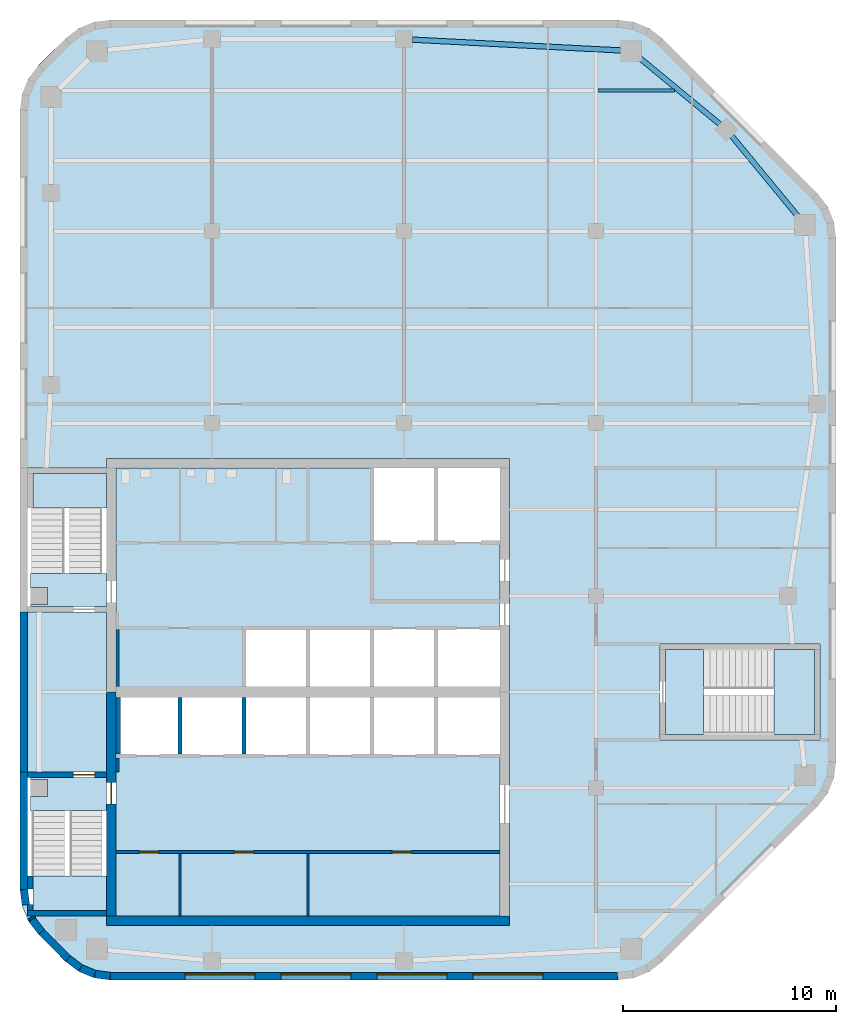
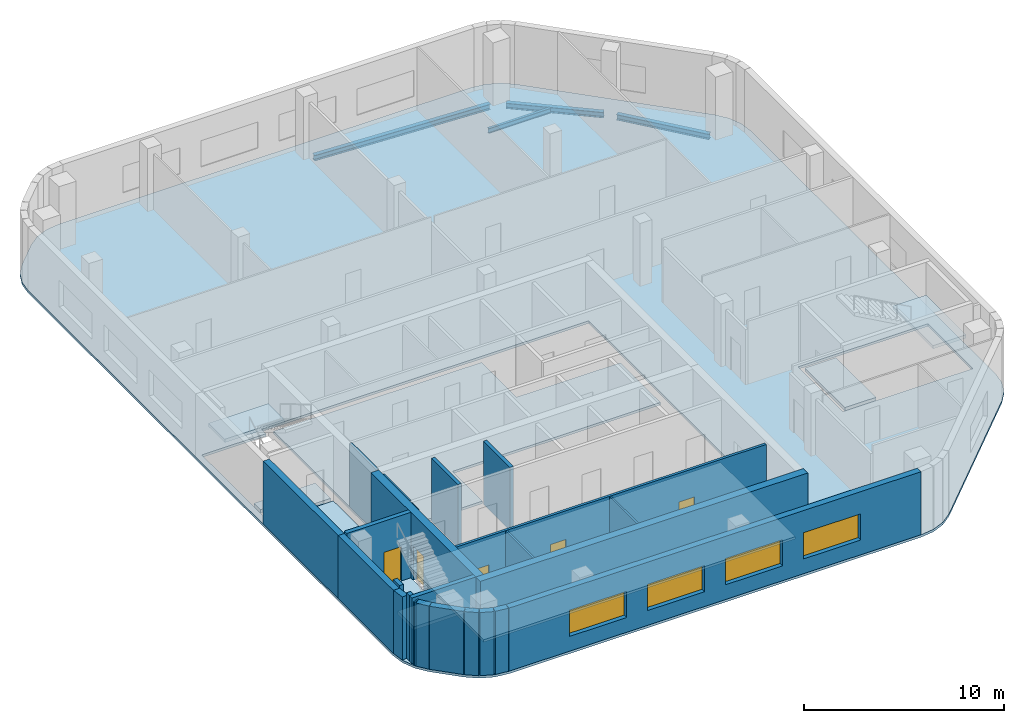
# One storey, part 2 of 7: 24 walls, 9 slabs, 5 doors, 4 beams, 4 windows, 9 openings, 3 elements without a shape of their own.
"""IFC4 building model written with IfcOpenShell, lengths in metres."""

from ifc_helpers import new_model, si_unit, direction, frame, frame_2d, origin, origin_2d, place, context, subcontext, project, spatial, polyline, rectangle, i_section, outline, extrude, material, layer, layer_set, material_profile, profile_set, type_object, element, fill, aggregate, save


model = new_model("IFC4")

# Units and contexts
model_context = context("Model", 3, precision=1e-05, world=origin(), true_north=direction((0.0, 1.0)))
body_context = subcontext(model_context, "Body", "Model", "MODEL_VIEW")
ifc_project = project(units=[si_unit("LENGTHUNIT", "METRE"), si_unit("AREAUNIT", "SQUARE_METRE"), si_unit("VOLUMEUNIT", "CUBIC_METRE"), si_unit("PLANEANGLEUNIT", "RADIAN"), si_unit("MASSUNIT", "GRAM", prefix="KILO")], contexts=[model_context])

# Site, building, storey
site_placement = place(None, origin())
site = spatial("IfcSite", under=ifc_project, at=site_placement, CompositionType="ELEMENT")
building_placement = place(site_placement, origin())
building = spatial("IfcBuilding", under=site, at=building_placement, Name="Cinnabar Reach Civic Tower", CompositionType="ELEMENT")
storey_placement = place(building_placement, frame((0.0, 0.0, 263.0)))
storey = spatial("IfcBuildingStorey", under=building, at=storey_placement, Name="L63", CompositionType="ELEMENT", Elevation=263.0)

# Beams
ifc_material_1 = material(Name="Steel Q355B", Category="steel")
ifc_material_profile_1 = material_profile(ifc_material_1, i_section(OverallWidth=0.25, OverallDepth=0.34, WebThickness=0.009, FlangeThickness=0.014, FilletRadius=0.013, at=origin_2d()), Name="HM340x250x9x14")
ifc_profile_set_1 = profile_set([ifc_material_profile_1], Name="Steel Q355B")
beam_type_1 = type_object("IfcBeamType", Name="HM340x250x9x14 beam R 180", PredefinedType="BEAM", material=ifc_profile_set_1)
for number, where, z_axis, x_axis, name in (
    (1, (36.4818, 53.7801, -0.32), (-0.636303312762, 0.771438976309, 0.0), (-0.771438976309, -0.636303312762, 0.0), "Edge beam T1 L63 9"),
    (2, (32.8486, 58.0822, -0.32), (-0.771438976309, 0.636303312762, 0.0), (-0.636303312762, -0.771438976309, 0.0), "Edge beam T1 L63 10"),
):
    element("IfcBeam", number, at=place(storey_placement, frame(where, z_axis=z_axis, x_axis=x_axis)), inside=storey, type_object=beam_type_1, Name=name, PredefinedType="BEAM", context=body_context, shape_type="SweptSolid", body=[
        extrude(i_section(OverallWidth=0.25, OverallDepth=0.34, WebThickness=0.009, FlangeThickness=0.014, FilletRadius=0.013, at=origin_2d()), origin(), (0.0, 0.0, 1.0), 4.9498),
    ])
beam_1_placement = place(storey_placement, frame((28.2661, 61.5667, -0.32), z_axis=(-0.998653533726, 0.051876001934, 0.0), x_axis=(-0.051876001934, -0.998653533726, 0.0)))
element("IfcBeam", 3, at=beam_1_placement, inside=storey, type_object=beam_type_1, Name="Edge beam T1 L63 11", PredefinedType="BEAM", context=body_context, shape_type="SweptSolid", body=[
    extrude(i_section(OverallWidth=0.25, OverallDepth=0.34, WebThickness=0.009, FlangeThickness=0.014, FilletRadius=0.013, at=origin_2d()), origin(), (0.0, 0.0, 1.0), 9.8774),
])
ifc_material_profile_2 = material_profile(ifc_material_1, i_section(OverallWidth=0.15, OverallDepth=0.3, WebThickness=0.0065, FlangeThickness=0.009, FilletRadius=0.013, at=origin_2d()), Name="HN300x150x6.5x9")
ifc_profile_set_2 = profile_set([ifc_material_profile_2], Name="Steel Q355B")
beam_type_2 = type_object("IfcBeamType", Name="HN300x150x6.5x9 beam R 180", PredefinedType="BEAM", material=ifc_profile_set_2)
beam_2_placement = place(storey_placement, frame((27.102, 59.7, -0.3), z_axis=(1.0, 0.0, 0.0), x_axis=(0.0, 1.0, 0.0)))
element("IfcBeam", 4, at=beam_2_placement, inside=storey, type_object=beam_type_2, Name="Secondary beam T1 L63 19", PredefinedType="BEAM", context=body_context, shape_type="SweptSolid", body=[
    extrude(i_section(OverallWidth=0.15, OverallDepth=0.3, WebThickness=0.0065, FlangeThickness=0.009, FilletRadius=0.013, at=origin_2d()), origin(), (0.0, 0.0, 1.0), 3.5856),
])

# Slab
ifc_material_2 = material(Name="Concrete C40", Category="concrete")
ifc_layer_1 = layer(ifc_material_2, 0.15)
ifc_layer_set_1 = layer_set([ifc_layer_1], Name="Composite floor slab 150 REI 150")
slab_type_1 = type_object("IfcSlabType", Name="Composite floor slab 150 REI 150", PredefinedType="FLOOR", material=ifc_layer_set_1)
slab_1_placement = place(storey_placement, frame((0.0, 0.0, -0.15)))
element("IfcSlab", 5, at=slab_1_placement, inside=storey, type_object=slab_type_1, Name="Composite floor slab 150 T1 L63", PredefinedType="FLOOR", context=body_context, shape_type="SweptSolid", body=[
    extrude(outline(polyline([(0.8787, 20.1213), (0.4019, 20.7426), (0.1022, 21.4662), (0.0, 22.2426), (0.0, 58.7574), (0.1022, 59.5338), (0.4019, 60.2574), (0.8787, 60.8787), (2.1213, 62.1213), (2.7426, 62.5981), (3.4662, 62.8978), (4.2426, 63.0), (28.0074, 63.0), (28.7838, 62.8978), (29.5074, 62.5981), (30.1287, 62.1213), (37.3713, 54.8787), (37.8481, 54.2574), (38.1478, 53.5338), (38.25, 52.7574), (38.25, 28.2426), (38.1478, 27.4662), (37.8481, 26.7426), (37.3713, 26.1213), (30.1287, 18.8787), (29.5074, 18.4019), (28.7838, 18.1022), (28.0074, 18.0), (4.2426, 18.0), (3.4662, 18.1022), (2.7426, 18.4019), (2.1213, 18.8787), (0.8787, 20.1213)]), holes=[polyline([(0.685, 21.0), (4.05, 21.0), (4.05, 20.55), (22.95, 20.55), (22.95, 42.45), (4.05, 42.45), (4.05, 42.0), (0.36, 42.0), (0.36, 35.25), (4.05, 35.25), (4.05, 27.75), (0.36, 27.75), (0.36, 22.2662), (0.453, 21.5602), (0.685, 21.0)]), polyline([(30.0, 33.75), (30.0, 29.25), (37.5, 29.25), (37.5, 33.75), (30.0, 33.75)])]), origin(), (0.0, 0.0, 1.0), 0.15),
])

# Stair, slabs
ifc_material_3 = material(Name="Concrete C40/50", Category="concrete")
stair_type = type_object("IfcStairType", Name="T1 Exit stair, half-turn", PredefinedType="HALF_TURN_STAIR", material=ifc_material_3)
stair_1_placement = place(storey_placement, origin())
stair_1 = element("IfcStair", 6, at=stair_1_placement, inside=storey, type_object=stair_type, Name="Stair T1-S1", PredefinedType="HALF_TURN_STAIR")
ifc_layer_2 = layer(ifc_material_3, 0.2)
ifc_layer_set_2 = layer_set([ifc_layer_2], Name="T1 Stair landing 200, Concrete C40/50")
slab_type_2 = type_object("IfcSlabType", Name="T1 Stair landing 200, Concrete C40/50", PredefinedType="LANDING", material=ifc_layer_set_2)
slab_2_placement = place(storey_placement, frame((0.0, 0.0, -0.2)))
slab_2 = element("IfcSlab", 7, at=slab_2_placement, type_object=slab_type_2, Name="T1-S1 landing 1", PredefinedType="LANDING", context=body_context, shape_type="SweptSolid", body=[
    extrude(outline(polyline([(0.5, 27.5), (4.05, 27.5), (4.05, 25.95), (0.5, 25.95), (0.5, 26.6), (1.3, 26.6), (1.3, 27.4), (0.5, 27.4), (0.5, 27.5)])), origin(), (0.0, 0.0, 1.0), 0.2),
])
slab_3_placement = place(storey_placement, frame((0.0, 0.0, 1.8)))
slab_3 = element("IfcSlab", 8, at=slab_3_placement, type_object=slab_type_2, Name="T1-S1 landing 2", PredefinedType="LANDING", context=body_context, shape_type="SweptSolid", body=[
    extrude(outline(polyline([(0.6, 21.25), (0.6, 22.87), (4.05, 22.87), (4.05, 21.25), (0.6, 21.25)])), origin(), (0.0, 0.0, 1.0), 0.2),
])
aggregate(stair_1, [slab_2, slab_3])

stair_2_placement = place(storey_placement, origin())
stair_2 = element("IfcStair", 9, at=stair_2_placement, inside=storey, type_object=stair_type, Name="Stair T1-S2", PredefinedType="HALF_TURN_STAIR")
slab_4_placement = place(storey_placement, frame((0.0, 0.0, -0.2)))
slab_4 = element("IfcSlab", 10, at=slab_4_placement, type_object=slab_type_2, Name="T1-S2 landing 1", PredefinedType="LANDING", context=body_context, shape_type="SweptSolid", body=[
    extrude(outline(polyline([(0.5, 37.05), (4.05, 37.05), (4.05, 35.5), (0.5, 35.5), (0.5, 35.6), (1.3, 35.6), (1.3, 36.4), (0.5, 36.4), (0.5, 37.05)])), origin(), (0.0, 0.0, 1.0), 0.2),
])
slab_5_placement = place(storey_placement, frame((0.0, 0.0, 1.8)))
slab_5 = element("IfcSlab", 11, at=slab_5_placement, type_object=slab_type_2, Name="T1-S2 landing 2", PredefinedType="LANDING", context=body_context, shape_type="SweptSolid", body=[
    extrude(outline(polyline([(0.6, 40.13), (0.6, 41.75), (4.05, 41.75), (4.05, 40.13), (0.6, 40.13)])), origin(), (0.0, 0.0, 1.0), 0.2),
])
aggregate(stair_2, [slab_4, slab_5])

stair_3_placement = place(storey_placement, origin())
stair_3 = element("IfcStair", 12, at=stair_3_placement, inside=storey, type_object=stair_type, Name="Stair T1-S3", PredefinedType="HALF_TURN_STAIR")
slab_6_placement = place(storey_placement, frame((0.0, 0.0, -0.2)))
slab_6 = element("IfcSlab", 13, at=slab_6_placement, type_object=slab_type_2, Name="T1-S3 landing 1", PredefinedType="LANDING", context=body_context, shape_type="SweptSolid", body=[
    extrude(outline(polyline([(30.25, 29.5), (32.05, 29.5), (32.05, 33.5), (30.25, 33.5), (30.25, 29.5)])), origin(), (0.0, 0.0, 1.0), 0.2),
])
slab_7_placement = place(storey_placement, frame((0.0, 0.0, 1.8)))
slab_7 = element("IfcSlab", 14, at=slab_7_placement, type_object=slab_type_2, Name="T1-S3 landing 2", PredefinedType="LANDING", context=body_context, shape_type="SweptSolid", body=[
    extrude(outline(polyline([(35.35, 29.5), (37.25, 29.5), (37.25, 33.5), (35.35, 33.5), (35.35, 29.5)])), origin(), (0.0, 0.0, 1.0), 0.2),
])
aggregate(stair_3, [slab_6, slab_7])

# Slabs
ifc_layer_3 = layer(ifc_material_3, 0.15)
ifc_layer_set_3 = layer_set([ifc_layer_3], Name="T1 core floor slab 150")
slab_type_3 = type_object("IfcSlabType", Name="T1 core floor slab 150", PredefinedType="FLOOR", material=ifc_layer_set_3)
slab_8_placement = place(storey_placement, frame((0.0, 0.0, -0.15)))
element("IfcSlab", 15, at=slab_8_placement, inside=storey, type_object=slab_type_3, Name="Core floor slab L63", PredefinedType="FLOOR", context=body_context, shape_type="SweptSolid", body=[
    extrude(outline(polyline([(22.5, 21.0), (4.5, 21.0), (4.5, 28.5), (7.5, 28.5), (10.5, 28.5), (13.5, 28.5), (16.5, 28.5), (19.5, 28.5), (22.5, 28.5), (22.5, 21.0)])), origin(), (0.0, 0.0, 1.0), 0.15),
])
slab_9_placement = place(storey_placement, frame((0.0, 0.0, -0.15)))
element("IfcSlab", 16, at=slab_9_placement, inside=storey, type_object=slab_type_3, Name="Core floor slab L63", PredefinedType="FLOOR", context=body_context, shape_type="SweptSolid", body=[
    extrude(outline(polyline([(22.5, 34.5), (19.5, 34.5), (16.5, 34.5), (13.5, 34.5), (10.5, 34.5), (10.5, 31.5), (7.5, 31.5), (4.5, 31.5), (4.5, 42.0), (16.5, 42.0), (16.5, 38.5), (19.5, 38.5), (22.5, 38.5), (22.5, 34.5)])), origin(), (0.0, 0.0, 1.0), 0.15),
])

# Walls
ifc_material_4 = material(Name="Facing brick with insulated backing", Category="masonry")
ifc_layer_4 = layer(ifc_material_4, 0.36)
ifc_layer_set_4 = layer_set([ifc_layer_4], Name="Brick corner wall")
wall_type_1 = type_object("IfcWallType", Name="Brick corner wall", PredefinedType="STANDARD", material=ifc_layer_set_4)
wall_1_placement = place(storey_placement, frame((0.183, 22.2314, 0.0), z_axis=(0.0, 0.0, 1.0), x_axis=(0.13055608231, -0.99144092581, 0.0)))
element("IfcWall", 17, at=wall_1_placement, inside=storey, type_object=wall_type_1, Name="Brick corner wall", PredefinedType="STANDARD", context=body_context, shape_type="SweptSolid", body=[
    extrude(rectangle(XDim=0.7131, YDim=0.36, at=frame_2d((0.3565, 0.0))), origin(), (0.0, 0.0, 1.0), 3.85),
])
wall_2_placement = place(storey_placement, frame((0.5206, 20.9265, 0.0), z_axis=(0.0, 0.0, 1.0), x_axis=(0.382549378284, -0.923935048136, 0.0)))
element("IfcWall", 18, at=wall_2_placement, inside=storey, type_object=wall_type_1, Name="Brick corner wall", PredefinedType="STANDARD", context=body_context, shape_type="SweptSolid", body=[
    extrude(rectangle(XDim=0.0894, YDim=0.36, at=frame_2d((0.0447, 0.0))), origin(), (0.0, 0.0, 1.0), 3.85),
])
for number, where, z_axis, x_axis, name in (
    (19, (0.566, 20.8245, 0.0), (0.0, 0.0, 1.0), (0.608802368033, -0.793321924995, 0.0), "Brick corner wall"),
    (20, (2.2587, 19.0002, 0.0), (0.0, 0.0, 1.0), (0.793321924995, -0.608802368033, 0.0), "Brick corner wall"),
):
    element("IfcWall", number, at=place(storey_placement, frame(where, z_axis=z_axis, x_axis=x_axis)), inside=storey, type_object=wall_type_1, Name=name, PredefinedType="STANDARD", context=body_context, shape_type="SweptSolid", body=[
        extrude(rectangle(XDim=0.7132, YDim=0.36, at=frame_2d((0.3566, 0.0))), origin(), (0.0, 0.0, 1.0), 3.85),
    ])
for number, where, z_axis, x_axis, name in (
    (21, (2.8439, 18.5548, 0.0), (0.0, 0.0, 1.0), (0.923871547278, -0.382702709855, 0.0), "Brick corner wall"),
    (22, (3.5244, 18.2761, 0.0), (0.0, 0.0, 1.0), (0.99144092581, -0.13055608231, 0.0), "Brick corner wall"),
):
    element("IfcWall", number, at=place(storey_placement, frame(where, z_axis=z_axis, x_axis=x_axis)), inside=storey, type_object=wall_type_1, Name=name, PredefinedType="STANDARD", context=body_context, shape_type="SweptSolid", body=[
        extrude(rectangle(XDim=0.7131, YDim=0.36, at=frame_2d((0.3565, 0.0))), origin(), (0.0, 0.0, 1.0), 3.85),
    ])

# Wall, openings, windows
ifc_layer_5 = layer(ifc_material_4, 0.36)
ifc_layer_set_5 = layer_set([ifc_layer_5], Name="Brick pier and spandrel wall")
wall_type_2 = type_object("IfcWallType", Name="Brick pier and spandrel wall", PredefinedType="STANDARD", material=ifc_layer_set_5)
wall_3_placement = place(storey_placement, frame((4.2426, 18.18, 0.0), z_axis=(0.0, 0.0, 1.0), x_axis=(1.0, 0.0, 0.0)))
wall_3 = element("IfcWall", 23, at=wall_3_placement, inside=storey, type_object=wall_type_2, Name="Brick facade wall", PredefinedType="STANDARD", context=body_context, shape_type="SweptSolid", body=[
    extrude(rectangle(XDim=23.7648, YDim=0.36, at=frame_2d((11.8824, 0.0))), origin(), (0.0, 0.0, 1.0), 3.85),
])
opening_1_placement = place(wall_3_placement, frame((3.4824, 0.0, 0.9)))
opening_1 = element("IfcOpeningElement", 24, at=opening_1_placement, cuts=wall_3, Name="Opening W2245", PredefinedType="OPENING", context=body_context, shape_type="SweptSolid", body=[
    extrude(rectangle(XDim=3.3, YDim=1.6, at=frame_2d((1.65, 0.8))), frame((0.0, 0.19, 0.0), z_axis=(0.0, -1.0, 0.0), x_axis=(1.0, 0.0, 0.0)), (0.0, 0.0, 1.0), 0.38),
])
opening_2_placement = place(wall_3_placement, frame((7.9824, 0.0, 0.9)))
opening_2 = element("IfcOpeningElement", 25, at=opening_2_placement, cuts=wall_3, Name="Opening W2246", PredefinedType="OPENING", context=body_context, shape_type="SweptSolid", body=[
    extrude(rectangle(XDim=3.3, YDim=1.6, at=frame_2d((1.65, 0.8))), frame((0.0, 0.19, 0.0), z_axis=(0.0, -1.0, 0.0), x_axis=(1.0, 0.0, 0.0)), (0.0, 0.0, 1.0), 0.38),
])
opening_3_placement = place(wall_3_placement, frame((12.4824, 0.0, 0.9)))
opening_3 = element("IfcOpeningElement", 26, at=opening_3_placement, cuts=wall_3, Name="Opening W2247", PredefinedType="OPENING", context=body_context, shape_type="SweptSolid", body=[
    extrude(rectangle(XDim=3.3, YDim=1.6, at=frame_2d((1.65, 0.8))), frame((0.0, 0.19, 0.0), z_axis=(0.0, -1.0, 0.0), x_axis=(1.0, 0.0, 0.0)), (0.0, 0.0, 1.0), 0.38),
])
opening_4_placement = place(wall_3_placement, frame((16.9824, 0.0, 0.9)))
opening_4 = element("IfcOpeningElement", 27, at=opening_4_placement, cuts=wall_3, Name="Opening W2248", PredefinedType="OPENING", context=body_context, shape_type="SweptSolid", body=[
    extrude(rectangle(XDim=3.3, YDim=1.6, at=frame_2d((1.65, 0.8))), frame((0.0, 0.19, 0.0), z_axis=(0.0, -1.0, 0.0), x_axis=(1.0, 0.0, 0.0)), (0.0, 0.0, 1.0), 0.38),
])
ifc_material_5 = material(Name="Clear double glazing in aluminium frame", Category="aluminium")
window_type = type_object("IfcWindowType", Name="Deep-set window A", PartitioningType="SINGLE_PANEL", PredefinedType="WINDOW", material=ifc_material_5)
window_1_placement = place(opening_1_placement, origin())
window_1 = element("IfcWindow", 28, at=window_1_placement, inside=storey, type_object=window_type, Name="Window south face", OverallHeight=1.6, OverallWidth=3.3, PartitioningType="SINGLE_PANEL", PredefinedType="WINDOW", context=body_context, shape_type="SweptSolid", body=[
    extrude(rectangle(XDim=3.3, YDim=1.6, at=frame_2d((1.65, 0.8))), frame((0.0, 0.13, 0.0), z_axis=(0.0, -1.0, 0.0), x_axis=(1.0, 0.0, 0.0)), (0.0, 0.0, 1.0), 0.06),
])
fill(opening_1, window_1)
window_2_placement = place(opening_2_placement, origin())
window_2 = element("IfcWindow", 29, at=window_2_placement, inside=storey, type_object=window_type, Name="Window south face", OverallHeight=1.6, OverallWidth=3.3, PartitioningType="SINGLE_PANEL", PredefinedType="WINDOW", context=body_context, shape_type="SweptSolid", body=[
    extrude(rectangle(XDim=3.3, YDim=1.6, at=frame_2d((1.65, 0.8))), frame((0.0, 0.13, 0.0), z_axis=(0.0, -1.0, 0.0), x_axis=(1.0, 0.0, 0.0)), (0.0, 0.0, 1.0), 0.06),
])
fill(opening_2, window_2)
window_3_placement = place(opening_3_placement, origin())
window_3 = element("IfcWindow", 30, at=window_3_placement, inside=storey, type_object=window_type, Name="Window south face", OverallHeight=1.6, OverallWidth=3.3, PartitioningType="SINGLE_PANEL", PredefinedType="WINDOW", context=body_context, shape_type="SweptSolid", body=[
    extrude(rectangle(XDim=3.3, YDim=1.6, at=frame_2d((1.65, 0.8))), frame((0.0, 0.13, 0.0), z_axis=(0.0, -1.0, 0.0), x_axis=(1.0, 0.0, 0.0)), (0.0, 0.0, 1.0), 0.06),
])
fill(opening_3, window_3)
window_4_placement = place(opening_4_placement, origin())
window_4 = element("IfcWindow", 31, at=window_4_placement, inside=storey, type_object=window_type, Name="Window south face", OverallHeight=1.6, OverallWidth=3.3, PartitioningType="SINGLE_PANEL", PredefinedType="WINDOW", context=body_context, shape_type="SweptSolid", body=[
    extrude(rectangle(XDim=3.3, YDim=1.6, at=frame_2d((1.65, 0.8))), frame((0.0, 0.13, 0.0), z_axis=(0.0, -1.0, 0.0), x_axis=(1.0, 0.0, 0.0)), (0.0, 0.0, 1.0), 0.06),
])
fill(opening_4, window_4)

# Walls
wall_4_placement = place(storey_placement, frame((0.18, 35.25, 0.0), z_axis=(0.0, 0.0, 1.0), x_axis=(0.0, -1.0, 0.0)))
element("IfcWall", 32, at=wall_4_placement, inside=storey, type_object=wall_type_2, Name="Brick facade wall", PredefinedType="STANDARD", context=body_context, shape_type="SweptSolid", body=[
    extrude(rectangle(XDim=7.5, YDim=0.36, at=frame_2d((3.75, 0.0))), origin(), (0.0, 0.0, 1.0), 3.85),
])
wall_5_placement = place(storey_placement, frame((0.18, 27.75, 0.0), z_axis=(0.0, 0.0, 1.0), x_axis=(0.0, -1.0, 0.0)))
element("IfcWall", 33, at=wall_5_placement, inside=storey, type_object=wall_type_2, Name="Brick facade wall", PredefinedType="STANDARD", context=body_context, shape_type="SweptSolid", body=[
    extrude(rectangle(XDim=5.5074, YDim=0.36, at=frame_2d((2.7537, 0.0))), origin(), (0.0, 0.0, 1.0), 3.85),
])
wall_6_placement = place(storey_placement, frame((1.006, 20.2486, 0.0), z_axis=(0.0, 0.0, 1.0), x_axis=(0.707106781187, -0.707106781187, 0.0)))
element("IfcWall", 34, at=wall_6_placement, inside=storey, type_object=wall_type_2, Name="Brick facade wall", PredefinedType="STANDARD", context=body_context, shape_type="SweptSolid", body=[
    extrude(rectangle(XDim=1.7573, YDim=0.36, at=frame_2d((0.8787, 0.0))), origin(), (0.0, 0.0, 1.0), 3.85),
])
ifc_material_6 = material(Name="Concrete C60", Category="concrete")
ifc_layer_6 = layer(ifc_material_6, 0.45)
ifc_layer_set_6 = layer_set([ifc_layer_6], Name="Core wall 450 EI 180")
wall_type_3 = type_object("IfcWallType", Name="Core wall 450 EI 180", PredefinedType="SOLIDWALL", material=ifc_layer_set_6)
wall_7_placement = place(storey_placement, frame((4.05, 20.775, 0.0), z_axis=(0.0, 0.0, 1.0), x_axis=(1.0, 0.0, 0.0)))
element("IfcWall", 35, at=wall_7_placement, inside=storey, type_object=wall_type_3, Name="Core wall T1 L63 S", PredefinedType="SOLIDWALL", context=body_context, shape_type="SweptSolid", body=[
    extrude(rectangle(XDim=18.9, YDim=0.45, at=frame_2d((9.45, 0.0))), origin(), (0.0, 0.0, 1.0), 4.0),
])

# Wall, opening, door
wall_8_placement = place(storey_placement, frame((4.275, 31.5, 0.0), z_axis=(0.0, 0.0, 1.0), x_axis=(0.0, -1.0, 0.0)))
wall_8 = element("IfcWall", 36, at=wall_8_placement, inside=storey, type_object=wall_type_3, Name="Core wall T1 L63 W2", PredefinedType="SOLIDWALL", context=body_context, shape_type="SweptSolid", body=[
    extrude(rectangle(XDim=10.5, YDim=0.45, at=frame_2d((5.25, 0.0))), origin(), (0.0, 0.0, 1.0), 4.0),
])
opening_5_placement = place(wall_8_placement, frame((4.25, 0.0, 0.0)))
opening_5 = element("IfcOpeningElement", 37, at=opening_5_placement, cuts=wall_8, Name="Opening D5506", PredefinedType="OPENING", context=body_context, shape_type="SweptSolid", body=[
    extrude(rectangle(XDim=1.0, YDim=2.1, at=frame_2d((0.5, 1.05))), frame((0.0, 0.235, 0.0), z_axis=(0.0, -1.0, 0.0), x_axis=(1.0, 0.0, 0.0)), (0.0, 0.0, 1.0), 0.47),
])
ifc_material_7 = material(Name="Timber door leaf in steel frame", Category="steel")
door_type_1 = type_object("IfcDoorType", Name="Stair door 1000 x 2100 T1", OperationType="SINGLE_SWING_LEFT", PredefinedType="DOOR", material=ifc_material_7)
door_1_placement = place(opening_5_placement, frame((1.0, 0.0, 0.0), z_axis=(0.0, 0.0, 1.0), x_axis=(-1.0, 0.0, 0.0)))
door_1 = element("IfcDoor", 38, at=door_1_placement, inside=storey, type_object=door_type_1, Name="Door D5506", OperationType="SINGLE_SWING_RIGHT", OverallHeight=2.1, OverallWidth=1.0, PredefinedType="DOOR", context=body_context, shape_type="SweptSolid", body=[
    extrude(rectangle(XDim=1.0, YDim=2.1, at=frame_2d((0.5, 1.05))), frame((0.0, 0.025, 0.0), z_axis=(0.0, -1.0, 0.0), x_axis=(1.0, 0.0, 0.0)), (0.0, 0.0, 1.0), 0.05),
])
fill(opening_5, door_1)

# Wall, openings, doors
ifc_material_8 = material(Name="Gypsum board on steel studs, double layer", Category="steel")
ifc_layer_7 = layer(ifc_material_8, 0.15)
ifc_layer_set_7 = layer_set([ifc_layer_7], Name="Corridor wall 150 T1")
wall_type_4 = type_object("IfcWallType", Name="Corridor wall 150 T1", PredefinedType="PARTITIONING", material=ifc_layer_set_7)
wall_9_placement = place(storey_placement, frame((4.5, 24.0, 0.0), z_axis=(0.0, 0.0, 1.0), x_axis=(1.0, 0.0, 0.0)))
wall_9 = element("IfcWall", 39, at=wall_9_placement, inside=storey, type_object=wall_type_4, Name="Corridor wall 19", PredefinedType="PARTITIONING", context=body_context, shape_type="SweptSolid", body=[
    extrude(rectangle(XDim=18.0, YDim=0.15, at=frame_2d((9.0, 0.0))), origin(), (0.0, 0.0, 1.0), 3.85),
])
opening_6_placement = place(wall_9_placement, frame((1.1, 0.0, 0.0)))
opening_6 = element("IfcOpeningElement", 40, at=opening_6_placement, cuts=wall_9, Name="Opening D5524", PredefinedType="OPENING", context=body_context, shape_type="SweptSolid", body=[
    extrude(rectangle(XDim=0.9, YDim=2.1, at=frame_2d((0.45, 1.05))), frame((0.0, 0.085, 0.0), z_axis=(0.0, -1.0, 0.0), x_axis=(1.0, 0.0, 0.0)), (0.0, 0.0, 1.0), 0.17),
])
opening_7_placement = place(wall_9_placement, frame((5.55, 0.0, 0.0)))
opening_7 = element("IfcOpeningElement", 41, at=opening_7_placement, cuts=wall_9, Name="Opening D5525", PredefinedType="OPENING", context=body_context, shape_type="SweptSolid", body=[
    extrude(rectangle(XDim=0.9, YDim=2.1, at=frame_2d((0.45, 1.05))), frame((0.0, 0.085, 0.0), z_axis=(0.0, -1.0, 0.0), x_axis=(1.0, 0.0, 0.0)), (0.0, 0.0, 1.0), 0.17),
])
opening_8_placement = place(wall_9_placement, frame((12.95, 0.0, 0.0)))
opening_8 = element("IfcOpeningElement", 42, at=opening_8_placement, cuts=wall_9, Name="Opening D5526", PredefinedType="OPENING", context=body_context, shape_type="SweptSolid", body=[
    extrude(rectangle(XDim=0.9, YDim=2.1, at=frame_2d((0.45, 1.05))), frame((0.0, 0.085, 0.0), z_axis=(0.0, -1.0, 0.0), x_axis=(1.0, 0.0, 0.0)), (0.0, 0.0, 1.0), 0.17),
])
door_type_2 = type_object("IfcDoorType", Name="Single swing door 900 x 2100 corridor T1", OperationType="SINGLE_SWING_LEFT", PredefinedType="DOOR", material=ifc_material_7)
door_2_placement = place(opening_6_placement, frame((0.9, 0.0, 0.0), z_axis=(0.0, 0.0, 1.0), x_axis=(-1.0, 0.0, 0.0)))
door_2 = element("IfcDoor", 43, at=door_2_placement, inside=storey, type_object=door_type_2, Name="Door D5524", OperationType="SINGLE_SWING_LEFT", OverallHeight=2.1, OverallWidth=0.9, PredefinedType="DOOR", context=body_context, shape_type="SweptSolid", body=[
    extrude(rectangle(XDim=0.9, YDim=2.1, at=frame_2d((0.45, 1.05))), frame((0.0, 0.025, 0.0), z_axis=(0.0, -1.0, 0.0), x_axis=(1.0, 0.0, 0.0)), (0.0, 0.0, 1.0), 0.05),
])
fill(opening_6, door_2)
door_3_placement = place(opening_7_placement, frame((0.9, 0.0, 0.0), z_axis=(0.0, 0.0, 1.0), x_axis=(-1.0, 0.0, 0.0)))
door_3 = element("IfcDoor", 44, at=door_3_placement, inside=storey, type_object=door_type_2, Name="Door D5525", OperationType="SINGLE_SWING_LEFT", OverallHeight=2.1, OverallWidth=0.9, PredefinedType="DOOR", context=body_context, shape_type="SweptSolid", body=[
    extrude(rectangle(XDim=0.9, YDim=2.1, at=frame_2d((0.45, 1.05))), frame((0.0, 0.025, 0.0), z_axis=(0.0, -1.0, 0.0), x_axis=(1.0, 0.0, 0.0)), (0.0, 0.0, 1.0), 0.05),
])
fill(opening_7, door_3)
door_4_placement = place(opening_8_placement, frame((0.9, 0.0, 0.0), z_axis=(0.0, 0.0, 1.0), x_axis=(-1.0, 0.0, 0.0)))
door_4 = element("IfcDoor", 45, at=door_4_placement, inside=storey, type_object=door_type_2, Name="Door D5526", OperationType="SINGLE_SWING_RIGHT", OverallHeight=2.1, OverallWidth=0.9, PredefinedType="DOOR", context=body_context, shape_type="SweptSolid", body=[
    extrude(rectangle(XDim=0.9, YDim=2.1, at=frame_2d((0.45, 1.05))), frame((0.0, 0.025, 0.0), z_axis=(0.0, -1.0, 0.0), x_axis=(1.0, 0.0, 0.0)), (0.0, 0.0, 1.0), 0.05),
])
fill(opening_8, door_4)

# Walls
wall_10_placement = place(storey_placement, frame((4.575, 31.75, 0.0), z_axis=(0.0, 0.0, 1.0), x_axis=(0.0, 1.0, 0.0)))
element("IfcWall", 46, at=wall_10_placement, inside=storey, type_object=wall_type_4, Name="Corridor wall 29", PredefinedType="PARTITIONING", context=body_context, shape_type="SweptSolid", body=[
    extrude(rectangle(XDim=2.675, YDim=0.15, at=frame_2d((1.3375, 0.0))), origin(), (0.0, 0.0, 1.0), 3.85),
])
wall_11_placement = place(storey_placement, frame((4.575, 27.75, 0.0), z_axis=(0.0, 0.0, 1.0), x_axis=(0.0, 1.0, 0.0)))
element("IfcWall", 47, at=wall_11_placement, inside=storey, type_object=wall_type_4, Name="Corridor wall 32", PredefinedType="PARTITIONING", context=body_context, shape_type="SweptSolid", body=[
    extrude(rectangle(XDim=0.65, YDim=0.15, at=frame_2d((0.325, 0.0))), origin(), (0.0, 0.0, 1.0), 3.85),
])
ifc_material_9 = material(Name="Blockwork", Category="masonry")
ifc_layer_8 = layer(ifc_material_9, 0.2)
ifc_layer_set_8 = layer_set([ifc_layer_8], Name="Lift shaft wall 200 T1")
wall_type_5 = type_object("IfcWallType", Name="Lift shaft wall 200 T1", PredefinedType="PARTITIONING", material=ifc_layer_set_8)
for number, where, z_axis, x_axis, name in (
    (48, (10.5, 28.6, 0.0), (0.0, 0.0, 1.0), (0.0, 1.0, 0.0), "Lift shaft wall 6"),
    (49, (4.6, 28.6, 0.0), (0.0, 0.0, 1.0), (0.0, 1.0, 0.0), "Lift shaft wall 16"),
    (50, (7.5, 28.6, 0.0), (0.0, 0.0, 1.0), (0.0, 1.0, 0.0), "Lift shaft wall 17"),
):
    element("IfcWall", number, at=place(storey_placement, frame(where, z_axis=z_axis, x_axis=x_axis)), inside=storey, type_object=wall_type_5, Name=name, PredefinedType="PARTITIONING", context=body_context, shape_type="SweptSolid", body=[
        extrude(rectangle(XDim=2.65, YDim=0.2, at=frame_2d((1.325, 0.0))), origin(), (0.0, 0.0, 1.0), 3.85),
    ])
ifc_material_10 = material(Name="Gypsum board on steel studs", Category="steel")
ifc_layer_9 = layer(ifc_material_10, 0.1)
ifc_layer_set_9 = layer_set([ifc_layer_9], Name="Partition wall 100 T1")
wall_type_6 = type_object("IfcWallType", Name="Partition wall 100 T1", PredefinedType="PARTITIONING", material=ifc_layer_set_9)
for number, where, z_axis, x_axis, name in (
    (51, (7.5, 21.0, 0.0), (0.0, 0.0, 1.0), (0.0, 1.0, 0.0), "Partition wall 50"),
    (52, (13.5, 21.0, 0.0), (0.0, 0.0, 1.0), (0.0, 1.0, 0.0), "Partition wall 51"),
):
    element("IfcWall", number, at=place(storey_placement, frame(where, z_axis=z_axis, x_axis=x_axis)), inside=storey, type_object=wall_type_6, Name=name, PredefinedType="PARTITIONING", context=body_context, shape_type="SweptSolid", body=[
        extrude(rectangle(XDim=2.925, YDim=0.1, at=frame_2d((1.4625, 0.0))), origin(), (0.0, 0.0, 1.0), 3.85),
    ])
ifc_layer_10 = layer(ifc_material_6, 0.25)
ifc_layer_set_10 = layer_set([ifc_layer_10], Name="Stair shaft wall 250 EI 120")
wall_type_7 = type_object("IfcWallType", Name="Stair shaft wall 250 EI 120", PredefinedType="SOLIDWALL", material=ifc_layer_set_10)
wall_12_placement = place(storey_placement, frame((0.36, 21.125, 0.0), z_axis=(0.0, 0.0, 1.0), x_axis=(1.0, 0.0, 0.0)))
element("IfcWall", 53, at=wall_12_placement, inside=storey, type_object=wall_type_7, Name="Stair shaft wall T1-S1 L63", PredefinedType="SOLIDWALL", context=body_context, shape_type="SweptSolid", body=[
    extrude(rectangle(XDim=3.69, YDim=0.25, at=frame_2d((1.845, 0.0))), origin(), (0.0, 0.0, 1.0), 4.0),
])

# Wall, opening, door
wall_13_placement = place(storey_placement, frame((4.05, 27.625, 0.0), z_axis=(0.0, 0.0, 1.0), x_axis=(-1.0, 0.0, 0.0)))
wall_13 = element("IfcWall", 54, at=wall_13_placement, inside=storey, type_object=wall_type_7, Name="Stair shaft wall T1-S1 L63", PredefinedType="SOLIDWALL", context=body_context, shape_type="SweptSolid", body=[
    extrude(rectangle(XDim=3.69, YDim=0.25, at=frame_2d((1.845, 0.0))), origin(), (0.0, 0.0, 1.0), 4.0),
])
opening_9_placement = place(wall_13_placement, frame((0.55, 0.0, 0.0)))
opening_9 = element("IfcOpeningElement", 55, at=opening_9_placement, cuts=wall_13, Name="Opening D5507", PredefinedType="OPENING", context=body_context, shape_type="SweptSolid", body=[
    extrude(rectangle(XDim=1.0, YDim=2.1, at=frame_2d((0.5, 1.05))), frame((0.0, 0.135, 0.0), z_axis=(0.0, -1.0, 0.0), x_axis=(1.0, 0.0, 0.0)), (0.0, 0.0, 1.0), 0.27),
])
door_5_placement = place(opening_9_placement, origin())
door_5 = element("IfcDoor", 56, at=door_5_placement, inside=storey, type_object=door_type_1, Name="Door D5507", OperationType="SINGLE_SWING_LEFT", OverallHeight=2.1, OverallWidth=1.0, PredefinedType="DOOR", context=body_context, shape_type="SweptSolid", body=[
    extrude(rectangle(XDim=1.0, YDim=2.1, at=frame_2d((0.5, 1.05))), frame((0.0, 0.025, 0.0), z_axis=(0.0, -1.0, 0.0), x_axis=(1.0, 0.0, 0.0)), (0.0, 0.0, 1.0), 0.05),
])
fill(opening_9, door_5)

# Walls
ifc_layer_11 = layer(ifc_material_3, 0.24)
ifc_layer_set_11 = layer_set([ifc_layer_11], Name="T1 landing bearer wall 240")
wall_type_8 = type_object("IfcWallType", Name="T1 landing bearer wall 240", PredefinedType="STANDARD", material=ifc_layer_set_11)
wall_14_placement = place(storey_placement, frame((0.48, 21.25, 0.0), z_axis=(0.0, 0.0, 1.0), x_axis=(0.0, 1.0, 0.0)))
element("IfcWall", 57, at=wall_14_placement, inside=storey, type_object=wall_type_8, Name="T1-S1 landing bearer wall", PredefinedType="STANDARD", context=body_context, shape_type="SweptSolid", body=[
    extrude(rectangle(XDim=0.2854, YDim=0.24, at=frame_2d((0.1427, 0.0))), origin(), (0.0, 0.0, 1.0), 4.0),
])
wall_15_placement = place(storey_placement, frame((0.48, 22.2549, 0.0), z_axis=(0.0, 0.0, 1.0), x_axis=(0.0, 1.0, 0.0)))
element("IfcWall", 58, at=wall_15_placement, inside=storey, type_object=wall_type_8, Name="T1-S1 landing bearer wall", PredefinedType="STANDARD", context=body_context, shape_type="SweptSolid", body=[
    extrude(rectangle(XDim=0.6151, YDim=0.24, at=frame_2d((0.3075, 0.0))), origin(), (0.0, 0.0, 1.0), 4.0),
])

save(model, "model.ifc")
